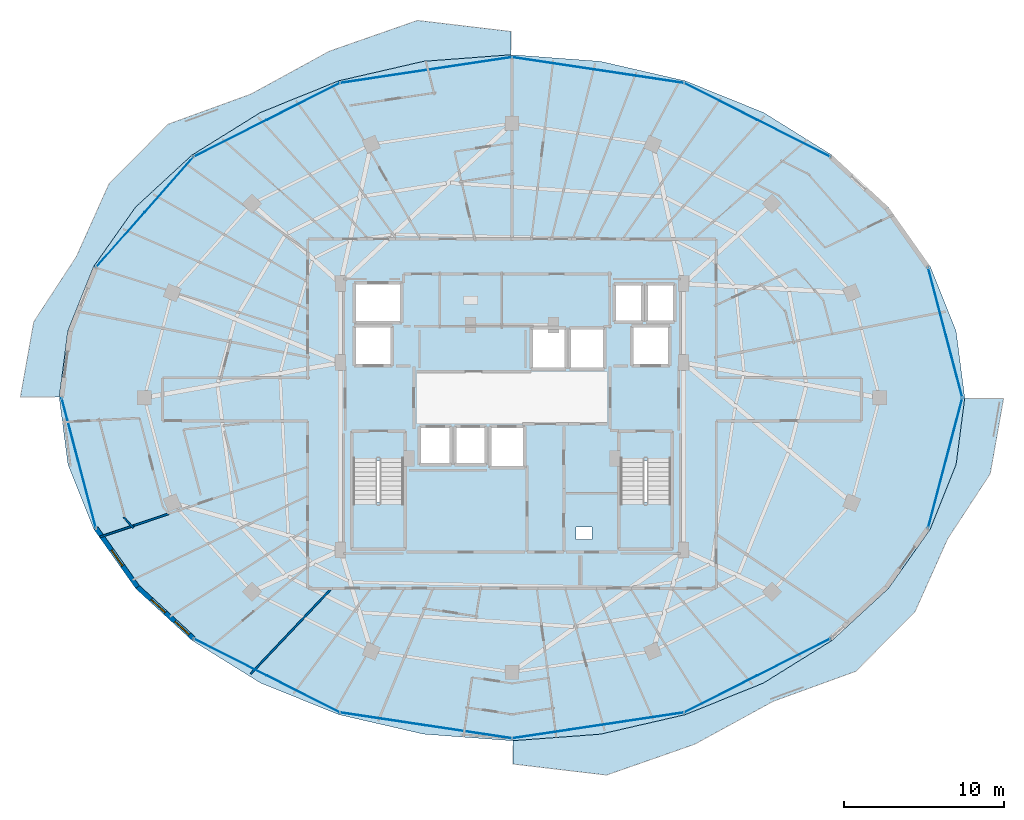
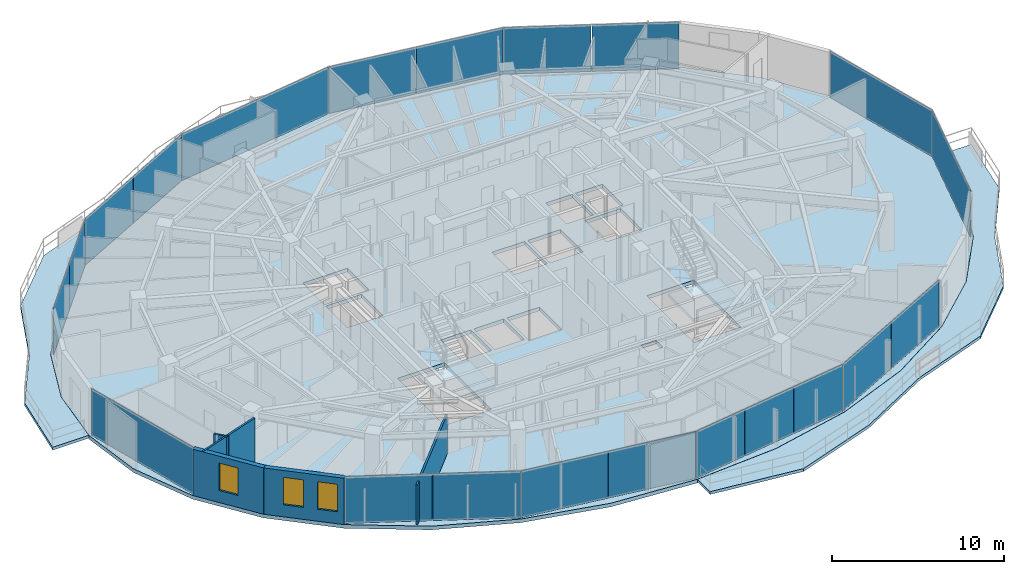
# One storey, part 23 of 34: 21 plates, 6 walls, 5 slabs, 3 windows, 3 openings, 6 elements without a shape of their own.
"""IFC4 building model written with IfcOpenShell, lengths in metres."""

from ifc_helpers import new_model, si_unit, direction, frame, frame_2d, origin, origin_2d, place, context, subcontext, project, spatial, polyline, rectangle, outline, extrude, material, layer, layer_set, type_object, element, fill, aggregate, save


model = new_model("IFC4")

# Units and contexts
model_context = context("Model", 3, precision=1e-05, world=origin(), true_north=direction((0.0, 1.0)))
body_context = subcontext(model_context, "Body", "Model", "MODEL_VIEW")
ifc_project = project(units=[si_unit("LENGTHUNIT", "METRE"), si_unit("AREAUNIT", "SQUARE_METRE"), si_unit("VOLUMEUNIT", "CUBIC_METRE"), si_unit("PLANEANGLEUNIT", "RADIAN"), si_unit("MASSUNIT", "GRAM", prefix="KILO")], contexts=[model_context])

# Site, building, storey
site_placement = place(None, origin())
site = spatial("IfcSite", under=ifc_project, at=site_placement, CompositionType="ELEMENT")
building_placement = place(site_placement, origin())
building = spatial("IfcBuilding", under=site, at=building_placement, Name="Vorneva Point Tower", CompositionType="ELEMENT")
storey_placement = place(building_placement, frame((0.0, 0.0, 210.75)))
storey = spatial("IfcBuildingStorey", under=building, at=storey_placement, Name="L57", CompositionType="ELEMENT", Elevation=210.75)

# Curtain wall, plates
ifc_material_1 = material(Name="Pale anodised aluminium", Category="aluminium")
curtain_wall_type = type_object("IfcCurtainWallType", Name="CW-RES-SYS", PredefinedType="NOTDEFINED", material=ifc_material_1)
curtain_wall_1_placement = place(storey_placement, origin())
curtain_wall_1 = element("IfcCurtainWall", 1, at=curtain_wall_1_placement, inside=storey, type_object=curtain_wall_type, Name="L57 Unitised Curtain Wall CW-L57-R01", PredefinedType="NOTDEFINED")
ifc_material_2 = material(Name="Double low-e laminated glass IGU", Category="glass")
ifc_layer_1 = layer(ifc_material_2, 0.035888671875)
ifc_layer_set_1 = layer_set([ifc_layer_1], Name="Double low-e laminated glass IGU")
plate_type = type_object("IfcPlateType", Name="CW-PNL-VIS", PredefinedType="CURTAIN_PANEL", material=ifc_layer_set_1)
plate_1_placement = place(storey_placement, frame((65.155517578125, 21.914794921875, -0.02001953125), z_axis=(0.0, 0.0, 1.0), x_axis=(0.254365646708, 0.967108121036, 0.0)))
plate_1 = element("IfcPlate", 2, at=plate_1_placement, type_object=plate_type, Name="CW-L57-R01 Glazed Panel 01", PredefinedType="CURTAIN_PANEL", context=body_context, shape_type="SweptSolid", body=[
    extrude(rectangle(XDim=8.398193359375, YDim=0.035888671875, at=origin_2d()), origin(), (0.0, 0.0, 1.0), 3.330078125),
])
plate_2_placement = place(storey_placement, frame((65.155517578125, 30.085205078125, -0.02001953125), z_axis=(0.0, 0.0, 1.0), x_axis=(-0.254365646708, 0.967108121036, 0.0)))
plate_2 = element("IfcPlate", 3, at=plate_2_placement, type_object=plate_type, Name="CW-L57-R01 Glazed Panel 02", PredefinedType="CURTAIN_PANEL", context=body_context, shape_type="SweptSolid", body=[
    extrude(rectangle(XDim=8.398193359375, YDim=0.035888671875, at=origin_2d()), origin(), (0.0, 0.0, 1.0), 3.330078125),
])
aggregate(curtain_wall_1, [plate_1, plate_2])

curtain_wall_2_placement = place(storey_placement, origin())
curtain_wall_2 = element("IfcCurtainWall", 4, at=curtain_wall_2_placement, inside=storey, type_object=curtain_wall_type, Name="L57 Unitised Curtain Wall CW-L57-R02", PredefinedType="NOTDEFINED")
plate_3_placement = place(storey_placement, frame((55.672119140625, 42.253662109375, -0.02001953125), z_axis=(0.0, 0.0, 1.0), x_axis=(-0.892514983762, 0.451017742179, 0.0)))
plate_3 = element("IfcPlate", 5, at=plate_3_placement, type_object=plate_type, Name="CW-L57-R02 Glazed Panel 01A", PredefinedType="CURTAIN_PANEL", context=body_context, shape_type="SweptSolid", body=[
    extrude(rectangle(XDim=5.080810546875, YDim=0.035888671875, at=origin_2d()), origin(), (0.0, 0.0, 1.0), 3.330078125),
])
plate_4_placement = place(storey_placement, frame((51.0927734375, 44.56787109375, -0.02001953125), z_axis=(0.0, 0.0, 1.0), x_axis=(-0.892514983762, 0.451017742179, 0.0)))
plate_4 = element("IfcPlate", 6, at=plate_4_placement, type_object=plate_type, Name="CW-L57-R02 Glazed Panel 01B", PredefinedType="CURTAIN_PANEL", context=body_context, shape_type="SweptSolid", body=[
    extrude(rectangle(XDim=5.080810546875, YDim=0.035888671875, at=origin_2d()), origin(), (0.0, 0.0, 1.0), 3.330078125),
])
plate_5_placement = place(storey_placement, frame((46.102294921875, 46.131103515625, -0.02001953125), z_axis=(0.0, 0.0, 1.0), x_axis=(-0.988873520862, 0.148758729957, 0.0)))
plate_5 = element("IfcPlate", 7, at=plate_5_placement, type_object=plate_type, Name="CW-L57-R02 Glazed Panel 02A", PredefinedType="CURTAIN_PANEL", context=body_context, shape_type="SweptSolid", body=[
    extrude(rectangle(XDim=5.412353515625, YDim=0.035888671875, at=origin_2d()), origin(), (0.0, 0.0, 1.0), 3.330078125),
])
plate_6_placement = place(storey_placement, frame((40.70068359375, 46.943603515625, -0.02001953125), z_axis=(0.0, 0.0, 1.0), x_axis=(-0.988873520862, 0.148758729957, 0.0)))
plate_6 = element("IfcPlate", 8, at=plate_6_placement, type_object=plate_type, Name="CW-L57-R02 Glazed Panel 02B", PredefinedType="CURTAIN_PANEL", context=body_context, shape_type="SweptSolid", body=[
    extrude(rectangle(XDim=5.412353515625, YDim=0.035888671875, at=origin_2d()), origin(), (0.0, 0.0, 1.0), 3.330078125),
])
plate_7_placement = place(storey_placement, frame((32.598388671875, 46.537353515625, -0.02001953125), z_axis=(0.0, 0.0, 1.0), x_axis=(-0.988873520862, -0.148758729957, 0.0)))
plate_7 = element("IfcPlate", 9, at=plate_7_placement, type_object=plate_type, Name="CW-L57-R02 Glazed Panel 03", PredefinedType="CURTAIN_PANEL", context=body_context, shape_type="SweptSolid", body=[
    extrude(rectangle(XDim=10.874755859375, YDim=0.035888671875, at=origin_2d()), origin(), (0.0, 0.0, 1.0), 3.330078125),
])
plate_8_placement = place(storey_placement, frame((24.9072265625, 44.56787109375, -0.02001953125), z_axis=(0.0, 0.0, 1.0), x_axis=(-0.892514983762, -0.451017742179, 0.0)))
plate_8 = element("IfcPlate", 10, at=plate_8_placement, type_object=plate_type, Name="CW-L57-R02 Glazed Panel 04A", PredefinedType="CURTAIN_PANEL", context=body_context, shape_type="SweptSolid", body=[
    extrude(rectangle(XDim=5.080810546875, YDim=0.035888671875, at=origin_2d()), origin(), (0.0, 0.0, 1.0), 3.330078125),
])
plate_9_placement = place(storey_placement, frame((20.327880859375, 42.253662109375, -0.02001953125), z_axis=(0.0, 0.0, 1.0), x_axis=(-0.892514983762, -0.451017742179, 0.0)))
plate_9 = element("IfcPlate", 11, at=plate_9_placement, type_object=plate_type, Name="CW-L57-R02 Glazed Panel 04B", PredefinedType="CURTAIN_PANEL", context=body_context, shape_type="SweptSolid", body=[
    extrude(rectangle(XDim=5.080810546875, YDim=0.035888671875, at=origin_2d()), origin(), (0.0, 0.0, 1.0), 3.330078125),
])
plate_10_placement = place(storey_placement, frame((16.508544921875, 39.364990234375, -0.02001953125), z_axis=(0.0, 0.0, 1.0), x_axis=(-0.662110096764, -0.74940657841, 0.0)))
plate_10 = element("IfcPlate", 12, at=plate_10_placement, type_object=plate_type, Name="CW-L57-R02 Glazed Panel 05A", PredefinedType="CURTAIN_PANEL", context=body_context, shape_type="SweptSolid", body=[
    extrude(rectangle(XDim=4.5712890625, YDim=0.035888671875, at=origin_2d()), origin(), (0.0, 0.0, 1.0), 3.330078125),
])
plate_11_placement = place(storey_placement, frame((13.44873046875, 35.90185546875, -0.02001953125), z_axis=(0.0, 0.0, 1.0), x_axis=(-0.662110096764, -0.74940657841, 0.0)))
plate_11 = element("IfcPlate", 13, at=plate_11_placement, type_object=plate_type, Name="CW-L57-R02 Glazed Panel 05B", PredefinedType="CURTAIN_PANEL", context=body_context, shape_type="SweptSolid", body=[
    extrude(rectangle(XDim=4.5712890625, YDim=0.035888671875, at=origin_2d()), origin(), (0.0, 0.0, 1.0), 3.330078125),
])
aggregate(curtain_wall_2, [plate_3, plate_4, plate_5, plate_6, plate_7, plate_8, plate_9, plate_10, plate_11])

# Curtain wall, plate
curtain_wall_3_placement = place(storey_placement, origin())
curtain_wall_3 = element("IfcCurtainWall", 14, at=curtain_wall_3_placement, inside=storey, type_object=curtain_wall_type, Name="L57 Unitised Curtain Wall CW-L57-R03", PredefinedType="NOTDEFINED")
plate_12_placement = place(storey_placement, frame((10.844482421875, 21.914794921875, -0.02001953125), z_axis=(0.0, 0.0, 1.0), x_axis=(0.254365646708, -0.967108121036, 0.0)))
plate_12 = element("IfcPlate", 15, at=plate_12_placement, type_object=plate_type, Name="CW-L57-R03 Glazed Panel 01", PredefinedType="CURTAIN_PANEL", context=body_context, shape_type="SweptSolid", body=[
    extrude(rectangle(XDim=8.398193359375, YDim=0.035888671875, at=origin_2d()), origin(), (0.0, 0.0, 1.0), 3.330078125),
])
aggregate(curtain_wall_3, [plate_12])

# Curtain wall, plates
curtain_wall_4_placement = place(storey_placement, origin())
curtain_wall_4 = element("IfcCurtainWall", 16, at=curtain_wall_4_placement, inside=storey, type_object=curtain_wall_type, Name="L57 Unitised Curtain Wall CW-L57-R04", PredefinedType="NOTDEFINED")
plate_13_placement = place(storey_placement, frame((20.327880859375, 9.746337890625, -0.02001953125), z_axis=(0.0, 0.0, 1.0), x_axis=(0.892514983762, -0.451017742179, 0.0)))
plate_13 = element("IfcPlate", 17, at=plate_13_placement, type_object=plate_type, Name="CW-L57-R04 Glazed Panel 01A", PredefinedType="CURTAIN_PANEL", context=body_context, shape_type="SweptSolid", body=[
    extrude(rectangle(XDim=5.080810546875, YDim=0.035888671875, at=origin_2d()), origin(), (0.0, 0.0, 1.0), 3.330078125),
])
plate_14_placement = place(storey_placement, frame((24.9072265625, 7.43212890625, -0.02001953125), z_axis=(0.0, 0.0, 1.0), x_axis=(0.892514983762, -0.451017742179, 0.0)))
plate_14 = element("IfcPlate", 18, at=plate_14_placement, type_object=plate_type, Name="CW-L57-R04 Glazed Panel 01B", PredefinedType="CURTAIN_PANEL", context=body_context, shape_type="SweptSolid", body=[
    extrude(rectangle(XDim=5.080810546875, YDim=0.035888671875, at=origin_2d()), origin(), (0.0, 0.0, 1.0), 3.330078125),
])
plate_15_placement = place(storey_placement, frame((29.897705078125, 5.868896484375, -0.02001953125), z_axis=(0.0, 0.0, 1.0), x_axis=(0.988873520862, -0.148758729957, 0.0)))
plate_15 = element("IfcPlate", 19, at=plate_15_placement, type_object=plate_type, Name="CW-L57-R04 Glazed Panel 02A", PredefinedType="CURTAIN_PANEL", context=body_context, shape_type="SweptSolid", body=[
    extrude(rectangle(XDim=5.412353515625, YDim=0.035888671875, at=origin_2d()), origin(), (0.0, 0.0, 1.0), 3.330078125),
])
plate_16_placement = place(storey_placement, frame((35.29931640625, 5.056396484375, -0.02001953125), z_axis=(0.0, 0.0, 1.0), x_axis=(0.988873520862, -0.148758729957, 0.0)))
plate_16 = element("IfcPlate", 20, at=plate_16_placement, type_object=plate_type, Name="CW-L57-R04 Glazed Panel 02B", PredefinedType="CURTAIN_PANEL", context=body_context, shape_type="SweptSolid", body=[
    extrude(rectangle(XDim=5.412353515625, YDim=0.035888671875, at=origin_2d()), origin(), (0.0, 0.0, 1.0), 3.330078125),
])
plate_17_placement = place(storey_placement, frame((39.800537109375, 4.9208984375, -0.02001953125), z_axis=(0.0, 0.0, 1.0), x_axis=(0.988873520862, 0.148758729957, 0.0)))
plate_17 = element("IfcPlate", 21, at=plate_17_placement, type_object=plate_type, Name="CW-L57-R04 Glazed Panel 03A", PredefinedType="CURTAIN_PANEL", context=body_context, shape_type="SweptSolid", body=[
    extrude(rectangle(XDim=3.591552734375, YDim=0.035888671875, at=origin_2d()), origin(), (0.0, 0.0, 1.0), 3.330078125),
])
plate_18_placement = place(storey_placement, frame((43.401611328125, 5.462646484375, -0.02001953125), z_axis=(0.0, 0.0, 1.0), x_axis=(0.988873520862, 0.148758729957, 0.0)))
plate_18 = element("IfcPlate", 22, at=plate_18_placement, type_object=plate_type, Name="CW-L57-R04 Glazed Panel 03B", PredefinedType="CURTAIN_PANEL", context=body_context, shape_type="SweptSolid", body=[
    extrude(rectangle(XDim=3.591552734375, YDim=0.035888671875, at=origin_2d()), origin(), (0.0, 0.0, 1.0), 3.330078125),
])
plate_19_placement = place(storey_placement, frame((47.002685546875, 6.00439453125, -0.02001953125), z_axis=(0.0, 0.0, 1.0), x_axis=(0.988873520862, 0.148758729957, 0.0)))
plate_19 = element("IfcPlate", 23, at=plate_19_placement, type_object=plate_type, Name="CW-L57-R04 Glazed Panel 03C", PredefinedType="CURTAIN_PANEL", context=body_context, shape_type="SweptSolid", body=[
    extrude(rectangle(XDim=3.591552734375, YDim=0.035888671875, at=origin_2d()), origin(), (0.0, 0.0, 1.0), 3.330078125),
])
plate_20_placement = place(storey_placement, frame((51.0927734375, 7.43212890625, -0.02001953125), z_axis=(0.0, 0.0, 1.0), x_axis=(0.892514983762, 0.451017742179, 0.0)))
plate_20 = element("IfcPlate", 24, at=plate_20_placement, type_object=plate_type, Name="CW-L57-R04 Glazed Panel 04A", PredefinedType="CURTAIN_PANEL", context=body_context, shape_type="SweptSolid", body=[
    extrude(rectangle(XDim=5.080810546875, YDim=0.035888671875, at=origin_2d()), origin(), (0.0, 0.0, 1.0), 3.330078125),
])
plate_21_placement = place(storey_placement, frame((55.672119140625, 9.746337890625, -0.02001953125), z_axis=(0.0, 0.0, 1.0), x_axis=(0.892514983762, 0.451017742179, 0.0)))
plate_21 = element("IfcPlate", 25, at=plate_21_placement, type_object=plate_type, Name="CW-L57-R04 Glazed Panel 04B", PredefinedType="CURTAIN_PANEL", context=body_context, shape_type="SweptSolid", body=[
    extrude(rectangle(XDim=5.080810546875, YDim=0.035888671875, at=origin_2d()), origin(), (0.0, 0.0, 1.0), 3.330078125),
])
aggregate(curtain_wall_4, [plate_13, plate_14, plate_15, plate_16, plate_17, plate_18, plate_19, plate_20, plate_21])

# Slabs
ifc_material_3 = material(Name="Concrete B50 (C40/50)", Category="concrete")
ifc_layer_2 = layer(ifc_material_3, 0.199951171875)
ifc_layer_set_2 = layer_set([ifc_layer_2], Name="Concrete B50 (C40/50)")
slab_type_1 = type_object("IfcSlabType", Name="SLB-BAL-200", PredefinedType="FLOOR", material=ifc_layer_set_2)
slab_1_placement = place(storey_placement, frame((0.0, 0.0, -0.199951171875)))
element("IfcSlab", 26, at=slab_1_placement, inside=storey, type_object=slab_type_1, Name="L57 Cantilevered Wave Balcony NW", PredefinedType="FLOOR", context=body_context, shape_type="SweptSolid", body=[
    extrude(outline(polyline([(7.183837890625, 26.050048828125), (9.62255859375, 26.050048828125), (10.161376953125, 30.19482421875), (10.161376953125, 30.1953125), (10.16162109375, 30.195556640625), (10.16162109375, 30.19580078125), (11.776611328125, 34.229248046875), (11.77685546875, 34.2294921875), (11.777099609375, 34.22998046875), (14.399658203125, 37.947021484375), (14.39990234375, 37.947509765625), (14.400146484375, 37.94775390625), (17.9296875, 41.205810546875), (17.929931640625, 41.2060546875), (17.93017578125, 41.206298828125), (22.230712890625, 43.8798828125), (22.231201171875, 43.880126953125), (22.2314453125, 43.88037109375), (27.137939453125, 45.8671875), (27.13818359375, 45.8671875), (27.138427734375, 45.8671875), (32.46240234375, 47.0908203125), (32.462646484375, 47.0908203125), (32.462890625, 47.0908203125), (37.949951171875, 47.500244140625), (37.949951171875, 48.9609375), (32.076416015625, 49.654541015625), (26.5556640625, 47.72412109375), (21.644287109375, 45.039306640625), (16.455810546875, 43.151611328125), (12.739501953125, 39.411865234375), (10.68359375, 34.827392578125), (8.02001953125, 30.7578125), (7.183837890625, 26.050048828125)])), origin(), (0.0, 0.0, 1.0), 0.199951171875),
])
slab_2_placement = place(storey_placement, frame((0.0, 0.0, -0.199951171875)))
element("IfcSlab", 27, at=slab_2_placement, inside=storey, type_object=slab_type_1, Name="L57 Cantilevered Wave Balcony SE", PredefinedType="FLOOR", context=body_context, shape_type="SweptSolid", body=[
    extrude(outline(polyline([(67.97998046875, 21.2421875), (68.816162109375, 25.949951171875), (66.37744140625, 25.949951171875), (65.838623046875, 21.80517578125), (65.838623046875, 21.8046875), (65.83837890625, 21.804443359375), (65.83837890625, 21.80419921875), (64.223388671875, 17.770751953125), (64.22314453125, 17.7705078125), (64.222900390625, 17.77001953125), (61.600341796875, 14.052978515625), (61.60009765625, 14.052490234375), (61.599853515625, 14.05224609375), (58.0703125, 10.794189453125), (58.070068359375, 10.7939453125), (58.06982421875, 10.793701171875), (53.769287109375, 8.1201171875), (53.768798828125, 8.119873046875), (53.7685546875, 8.11962890625), (48.862060546875, 6.1328125), (48.86181640625, 6.1328125), (48.861572265625, 6.1328125), (43.53759765625, 4.9091796875), (43.537353515625, 4.9091796875), (43.537109375, 4.9091796875), (38.050048828125, 4.499755859375), (38.050048828125, 3.0390625), (43.923583984375, 2.345458984375), (49.4443359375, 4.27587890625), (54.355712890625, 6.960693359375), (59.544189453125, 8.848388671875), (63.260498046875, 12.588134765625), (65.31640625, 17.172607421875), (67.97998046875, 21.2421875)])), origin(), (0.0, 0.0, 1.0), 0.199951171875),
])

# Stair, slab
stair_type = type_object("IfcStairType", Name="ST-DOG-1500", PredefinedType="HALF_TURN_STAIR", material=ifc_material_3)
stair_1_placement = place(storey_placement, origin())
stair_1 = element("IfcStair", 28, at=stair_1_placement, inside=storey, type_object=stair_type, Name="L57 ST1", PredefinedType="HALF_TURN_STAIR")
ifc_layer_3 = layer(ifc_material_3, 0.199951171875)
ifc_layer_set_3 = layer_set([ifc_layer_3], Name="Concrete B50 (C40/50)")
slab_type_2 = type_object("IfcSlabType", Name="SLB-LND-200", PredefinedType="LANDING", material=ifc_layer_set_3)
slab_3_placement = place(storey_placement, frame((0.0, 0.0, 1.574951171875)))
slab_3 = element("IfcSlab", 29, at=slab_3_placement, type_object=slab_type_2, Name="ST1 landing 1", PredefinedType="LANDING", context=body_context, shape_type="SweptSolid", body=[
    extrude(outline(polyline([(27.929931640625, 16.47998046875), (31.320068359375, 16.47998046875), (31.320068359375, 19.43994140625), (27.929931640625, 19.43994140625), (27.929931640625, 16.47998046875)])), origin(), (0.0, 0.0, 1.0), 0.199951171875),
])
aggregate(stair_1, [slab_3])

stair_2_placement = place(storey_placement, origin())
stair_2 = element("IfcStair", 30, at=stair_2_placement, inside=storey, type_object=stair_type, Name="L57 ST2", PredefinedType="HALF_TURN_STAIR")
slab_4_placement = place(storey_placement, frame((0.0, 0.0, 1.574951171875)))
slab_4 = element("IfcSlab", 31, at=slab_4_placement, type_object=slab_type_2, Name="ST2 landing 1", PredefinedType="LANDING", context=body_context, shape_type="SweptSolid", body=[
    extrude(outline(polyline([(44.679931640625, 16.47998046875), (48.070068359375, 16.47998046875), (48.070068359375, 19.43994140625), (44.679931640625, 19.43994140625), (44.679931640625, 16.47998046875)])), origin(), (0.0, 0.0, 1.0), 0.199951171875),
])
aggregate(stair_2, [slab_4])

# Slab
ifc_layer_4 = layer(ifc_material_3, 0.260009765625)
ifc_layer_set_4 = layer_set([ifc_layer_4], Name="Concrete B50 (C40/50)")
slab_type_3 = type_object("IfcSlabType", Name="SLB-TYP-260", PredefinedType="FLOOR", material=ifc_layer_set_4)
slab_5_placement = place(storey_placement, frame((0.0, 0.0, -0.260009765625)))
element("IfcSlab", 32, at=slab_5_placement, inside=storey, type_object=slab_type_3, Name="L57 Structural Floor Plate", PredefinedType="FLOOR", context=body_context, shape_type="SweptSolid", body=[
    extrude(outline(polyline([(66.3798828125, 26.0), (65.834716796875, 30.1943359375), (64.2197265625, 34.227783203125), (61.59716796875, 37.94482421875), (58.067626953125, 41.202880859375), (53.76708984375, 43.876708984375), (48.860595703125, 45.86328125), (43.53662109375, 47.0869140625), (38.0, 47.5), (32.46337890625, 47.0869140625), (27.139404296875, 45.86328125), (22.23291015625, 43.876708984375), (17.932373046875, 41.202880859375), (14.40283203125, 37.94482421875), (11.7802734375, 34.227783203125), (10.165283203125, 30.1943359375), (9.6201171875, 26.0), (10.165283203125, 21.8056640625), (11.7802734375, 17.772216796875), (14.40283203125, 14.05517578125), (17.932373046875, 10.797119140625), (22.23291015625, 8.123291015625), (27.139404296875, 6.13671875), (32.46337890625, 4.9130859375), (38.0, 4.5), (43.53662109375, 4.9130859375), (48.860595703125, 6.13671875), (53.76708984375, 8.123291015625), (58.067626953125, 10.797119140625), (61.59716796875, 14.05517578125), (64.2197265625, 17.772216796875), (65.834716796875, 21.8056640625), (66.3798828125, 26.0)]), holes=[polyline([(32.199951171875, 21.800048828125), (34.199951171875, 21.800048828125), (34.199951171875, 24.199951171875), (32.199951171875, 24.199951171875), (32.199951171875, 21.800048828125)]), polyline([(34.39990234375, 21.800048828125), (36.39990234375, 21.800048828125), (36.39990234375, 24.199951171875), (34.39990234375, 24.199951171875), (34.39990234375, 21.800048828125)]), polyline([(36.60009765625, 21.60009765625), (38.800048828125, 21.60009765625), (38.800048828125, 24.199951171875), (36.60009765625, 24.199951171875), (36.60009765625, 21.60009765625)]), polyline([(39.199951171875, 27.800048828125), (41.39990234375, 27.800048828125), (41.39990234375, 30.39990234375), (39.199951171875, 30.39990234375), (39.199951171875, 27.800048828125)]), polyline([(41.60009765625, 27.800048828125), (43.800048828125, 27.800048828125), (43.800048828125, 30.39990234375), (41.60009765625, 30.39990234375), (41.60009765625, 27.800048828125)]), polyline([(44.39990234375, 30.739990234375), (46.199951171875, 30.739990234375), (46.199951171875, 33.159912109375), (44.39990234375, 33.159912109375), (44.39990234375, 30.739990234375)]), polyline([(46.39990234375, 30.739990234375), (48.199951171875, 30.739990234375), (48.199951171875, 33.159912109375), (46.39990234375, 33.159912109375), (46.39990234375, 30.739990234375)]), polyline([(28.10009765625, 28.0), (30.5, 28.0), (30.5, 30.5), (28.10009765625, 30.5), (28.10009765625, 28.0)]), polyline([(45.5, 28.0), (47.89990234375, 28.0), (47.89990234375, 30.5), (45.5, 30.5), (45.5, 28.0)]), polyline([(28.10009765625, 30.699951171875), (31.10009765625, 30.699951171875), (31.10009765625, 33.199951171875), (28.10009765625, 33.199951171875), (28.10009765625, 30.699951171875)]), polyline([(28.050048828125, 16.60009765625), (31.199951171875, 16.60009765625), (31.199951171875, 22.080078125), (28.050048828125, 22.080078125), (28.050048828125, 16.60009765625)]), polyline([(44.800048828125, 16.60009765625), (47.949951171875, 16.60009765625), (47.949951171875, 22.080078125), (44.800048828125, 22.080078125), (44.800048828125, 16.60009765625)]), polyline([(42.0, 17.10009765625), (43.0, 17.10009765625), (43.0, 17.89990234375), (42.0, 17.89990234375), (42.0, 17.10009765625)])]), origin(), (0.0, 0.0, 1.0), 0.260009765625),
])

# Wall, opening, window
ifc_material_4 = material(Name="Precast concrete B50 (C40/50)", Category="concrete")
ifc_layer_5 = layer(ifc_material_4, 0.300048828125)
ifc_layer_set_5 = layer_set([ifc_layer_5], Name="Precast concrete B50 (C40/50)")
wall_type_1 = type_object("IfcWallType", Name="WL-EXT-300", PredefinedType="STANDARD", material=ifc_layer_set_5)
wall_1_placement = place(storey_placement, frame((11.9189453125, 17.82958984375, 0.0), z_axis=(0.0, 0.0, 1.0), x_axis=(0.577168747264, -0.81662490605, 0.0)))
wall_1 = element("IfcWall", 33, at=wall_1_placement, inside=storey, type_object=wall_type_1, Name="L57 Pale-Metal Facade Spandrel Wall 10.1", PredefinedType="STANDARD", context=body_context, shape_type="SweptSolid", body=[
    extrude(rectangle(XDim=4.519775390625, YDim=0.300048828125, at=frame_2d((2.259765625, 0.0))), origin(), (0.0, 0.0, 1.0), 3.2900390625),
])
opening_1_placement = place(wall_1_placement, frame((1.689697265625, 0.0, 0.85009765625)))
opening_1 = element("IfcOpeningElement", 34, at=opening_1_placement, cuts=wall_1, Name="Opening W-04", PredefinedType="OPENING", context=body_context, shape_type="SweptSolid", body=[
    extrude(rectangle(XDim=1.199951171875, YDim=1.949951171875, at=frame_2d((0.60009765625, 0.97509765625))), frame((0.0, 0.1650390625, 0.0), z_axis=(0.0, -1.0, 0.0), x_axis=(1.0, 0.0, 0.0)), (0.0, 0.0, 1.0), 0.329833984375),
])
window_type = type_object("IfcWindowType", Name="WN-RES-1200", PartitioningType="SINGLE_PANEL", PredefinedType="WINDOW", material=ifc_material_2)
window_1_placement = place(opening_1_placement, origin())
window_1 = element("IfcWindow", 35, at=window_1_placement, inside=storey, type_object=window_type, Name="L57 Dwelling Vision Window 02", OverallHeight=1.949951171875, OverallWidth=1.199951171875, PartitioningType="SINGLE_PANEL", PredefinedType="WINDOW", context=body_context, shape_type="SweptSolid", body=[
    extrude(rectangle(XDim=1.199951171875, YDim=1.949951171875, at=frame_2d((0.60009765625, 0.97509765625))), frame((0.0, 0.030029296875, 0.0), z_axis=(0.0, -1.0, 0.0), x_axis=(1.0, 0.0, 0.0)), (0.0, 0.0, 1.0), 0.06005859375),
])
fill(opening_1, window_1)

# Wall, openings, windows
wall_2_placement = place(storey_placement, frame((14.527587890625, 14.138671875, 0.0), z_axis=(0.0, 0.0, 1.0), x_axis=(0.735359993374, -0.677676678177, 0.0)))
wall_2 = element("IfcWall", 36, at=wall_2_placement, inside=storey, type_object=wall_type_1, Name="L57 Pale-Metal Facade Spandrel Wall 10.2", PredefinedType="STANDARD", context=body_context, shape_type="SweptSolid", body=[
    extrude(rectangle(XDim=4.774169921875, YDim=0.300048828125, at=frame_2d((2.38720703125, 0.0))), origin(), (0.0, 0.0, 1.0), 3.2900390625),
])
opening_2_placement = place(wall_2_placement, frame((1.158203125, 0.0, 0.85009765625)))
opening_2 = element("IfcOpeningElement", 37, at=opening_2_placement, cuts=wall_2, Name="Opening W-04", PredefinedType="OPENING", context=body_context, shape_type="SweptSolid", body=[
    extrude(rectangle(XDim=1.199951171875, YDim=1.949951171875, at=frame_2d((0.60009765625, 0.97509765625))), frame((0.0, 0.1650390625, 0.0), z_axis=(0.0, -1.0, 0.0), x_axis=(1.0, 0.0, 0.0)), (0.0, 0.0, 1.0), 0.329833984375),
])
opening_3_placement = place(wall_2_placement, frame((3.194580078125, 0.0, 0.85009765625)))
opening_3 = element("IfcOpeningElement", 38, at=opening_3_placement, cuts=wall_2, Name="Opening W-04", PredefinedType="OPENING", context=body_context, shape_type="SweptSolid", body=[
    extrude(rectangle(XDim=1.199951171875, YDim=1.949951171875, at=frame_2d((0.60009765625, 0.97509765625))), frame((0.0, 0.1650390625, 0.0), z_axis=(0.0, -1.0, 0.0), x_axis=(1.0, 0.0, 0.0)), (0.0, 0.0, 1.0), 0.329833984375),
])
window_2_placement = place(opening_2_placement, origin())
window_2 = element("IfcWindow", 39, at=window_2_placement, inside=storey, type_object=window_type, Name="L57 Dwelling Vision Window 03", OverallHeight=1.949951171875, OverallWidth=1.199951171875, PartitioningType="SINGLE_PANEL", PredefinedType="WINDOW", context=body_context, shape_type="SweptSolid", body=[
    extrude(rectangle(XDim=1.199951171875, YDim=1.949951171875, at=frame_2d((0.60009765625, 0.97509765625))), frame((0.0, 0.030029296875, 0.0), z_axis=(0.0, -1.0, 0.0), x_axis=(1.0, 0.0, 0.0)), (0.0, 0.0, 1.0), 0.06005859375),
])
fill(opening_2, window_2)
window_3_placement = place(opening_3_placement, origin())
window_3 = element("IfcWindow", 40, at=window_3_placement, inside=storey, type_object=window_type, Name="L57 Dwelling Vision Window 04", OverallHeight=1.949951171875, OverallWidth=1.199951171875, PartitioningType="SINGLE_PANEL", PredefinedType="WINDOW", context=body_context, shape_type="SweptSolid", body=[
    extrude(rectangle(XDim=1.199951171875, YDim=1.949951171875, at=frame_2d((0.60009765625, 0.97509765625))), frame((0.0, 0.030029296875, 0.0), z_axis=(0.0, -1.0, 0.0), x_axis=(1.0, 0.0, 0.0)), (0.0, 0.0, 1.0), 0.06005859375),
])
fill(opening_3, window_3)

# Walls
ifc_material_5 = material(Name="Fire-rated acoustic gypsum stud partition", Category="gypsum")
ifc_layer_6 = layer(ifc_material_5, 0.110107421875)
ifc_layer_set_6 = layer_set([ifc_layer_6], Name="Fire-rated acoustic gypsum stud partition")
wall_type_2 = type_object("IfcWallType", Name="WL-PART-110", PredefinedType="PARTITIONING", material=ifc_layer_set_6)
wall_3_placement = place(storey_placement, frame((14.2587890625, 17.839111328125, 0.0), z_axis=(0.0, 0.0, 1.0), x_axis=(-0.662791157339, 0.748804301372, 0.0)))
element("IfcWall", 41, at=wall_3_placement, inside=storey, type_object=wall_type_2, Name="L57 Interior Partition 131", PredefinedType="PARTITIONING", context=body_context, shape_type="SweptSolid", body=[
    extrude(rectangle(XDim=0.89697265625, YDim=0.110107421875, at=frame_2d((0.448486328125, 0.0))), origin(), (0.0, 0.0, 1.0), 3.2900390625),
])
wall_4_placement = place(storey_placement, frame((12.157470703125, 17.26513671875, 0.0), z_axis=(0.0, 0.0, 1.0), x_axis=(0.947357185378, 0.320178642812, 0.0)))
element("IfcWall", 42, at=wall_4_placement, inside=storey, type_object=wall_type_2, Name="L57 Interior Partition 133", PredefinedType="PARTITIONING", context=body_context, shape_type="SweptSolid", body=[
    extrude(rectangle(XDim=2.260009765625, YDim=0.110107421875, at=frame_2d((1.1298828125, 0.0))), origin(), (0.0, 0.0, 1.0), 3.2900390625),
])
ifc_layer_7 = layer(ifc_material_5, 0.125)
ifc_layer_set_7 = layer_set([ifc_layer_7], Name="Fire-rated acoustic gypsum stud partition")
wall_type_3 = type_object("IfcWallType", Name="WL-PART-125", PredefinedType="PARTITIONING", material=ifc_layer_set_7)
wall_5_placement = place(storey_placement, frame((16.490966796875, 18.72998046875, 0.0), z_axis=(0.0, 0.0, 1.0), x_axis=(-0.94734184591, -0.320224026251, 0.0)))
element("IfcWall", 43, at=wall_5_placement, inside=storey, type_object=wall_type_3, Name="L57 Interior Partition 129", PredefinedType="PARTITIONING", context=body_context, shape_type="SweptSolid", body=[
    extrude(rectangle(XDim=2.4541015625, YDim=0.125, at=frame_2d((1.22705078125, 0.0))), origin(), (0.0, 0.0, 1.0), 3.2900390625),
])
wall_6_placement = place(storey_placement, frame((21.613037109375, 8.68603515625, 0.0), z_axis=(0.0, 0.0, 1.0), x_axis=(0.68740257318, 0.726276601844, 0.0)))
element("IfcWall", 44, at=wall_6_placement, inside=storey, type_object=wall_type_3, Name="L57 Interior Partition 137", PredefinedType="PARTITIONING", context=body_context, shape_type="SweptSolid", body=[
    extrude(rectangle(XDim=7.3857421875, YDim=0.125, at=frame_2d((3.69287109375, 0.0))), origin(), (0.0, 0.0, 1.0), 2.823974609375),
])

save(model, "model.ifc")
